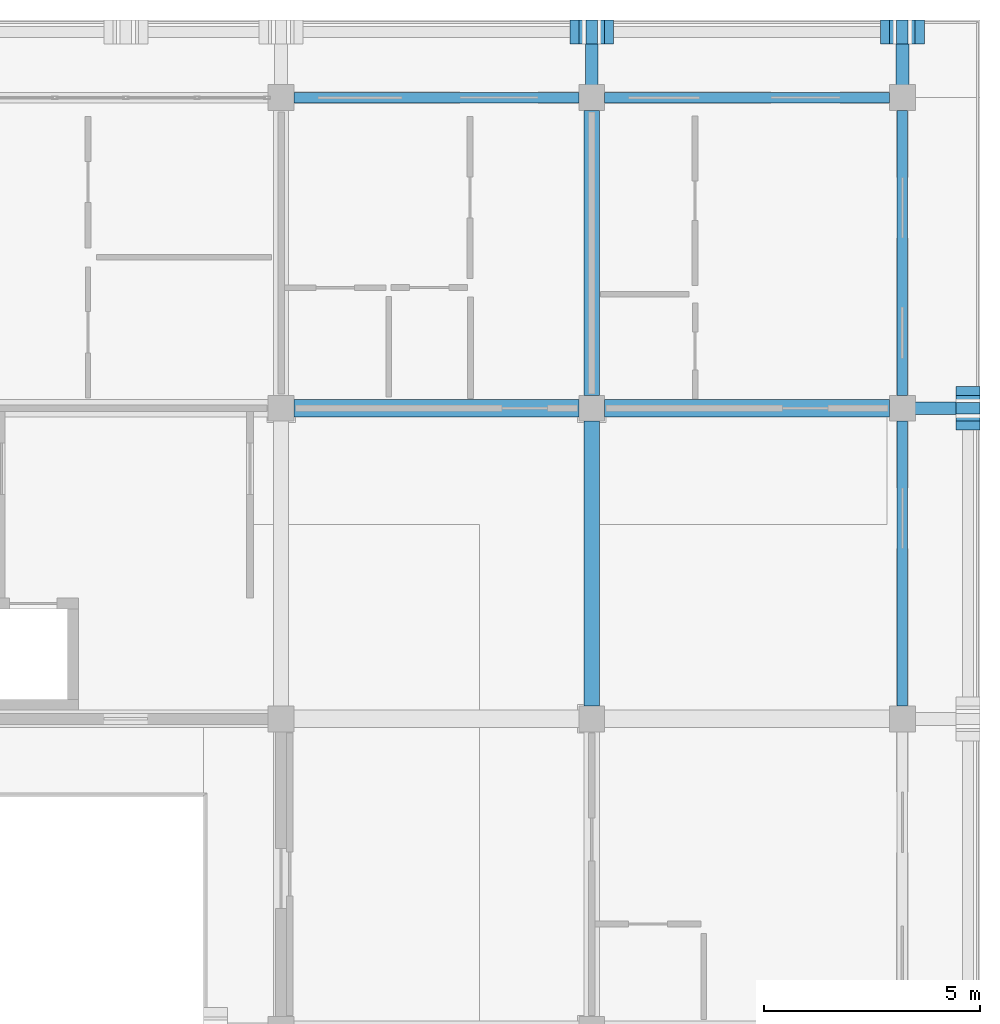
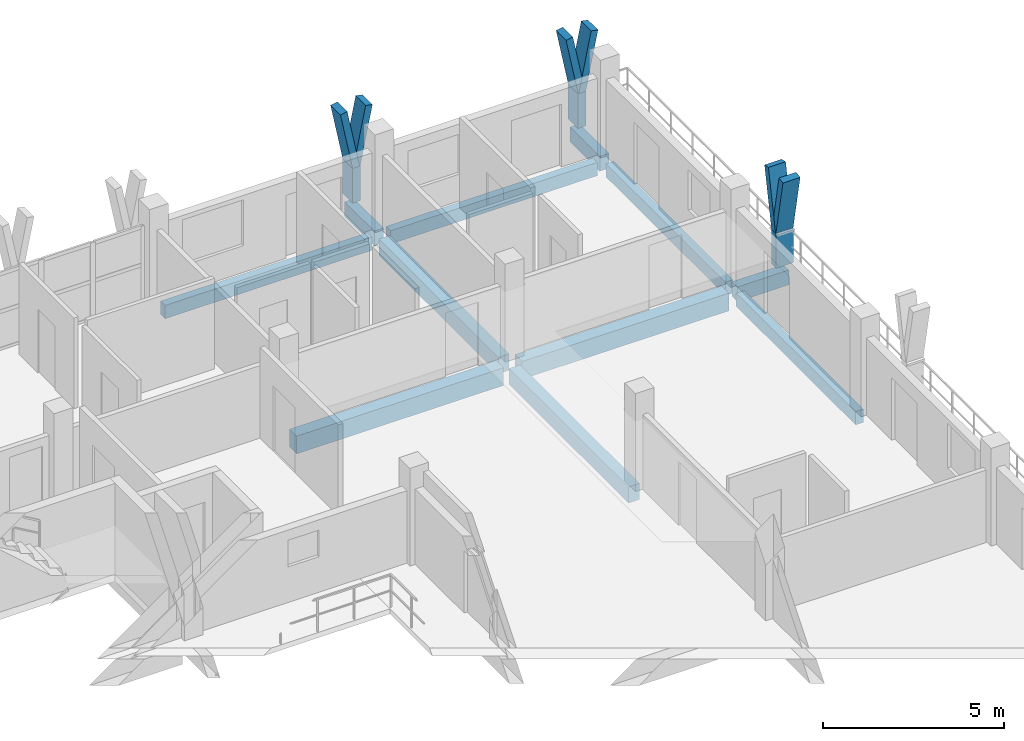
# One storey, part 32 of 75: 11 beams, 9 members.
"""IFC4 building model written with IfcOpenShell, lengths in metres."""

from ifc_helpers import new_model, si_unit, direction, frame, origin, origin_2d, place, context, subcontext, project, spatial, rectangle, extrude, material, material_profile, profile_set, type_object, element, save


model = new_model("IFC4")

# Units and contexts
model_context = context("Model", 3, precision=1e-05, world=origin(), true_north=direction((0.0, 1.0)))
body_context = subcontext(model_context, "Body", "Model", "MODEL_VIEW")
ifc_project = project(units=[si_unit("LENGTHUNIT", "METRE"), si_unit("AREAUNIT", "SQUARE_METRE"), si_unit("VOLUMEUNIT", "CUBIC_METRE"), si_unit("PLANEANGLEUNIT", "RADIAN"), si_unit("MASSUNIT", "GRAM", prefix="KILO")], contexts=[model_context])

# Site, building, storey
site_placement = place(None, origin())
site = spatial("IfcSite", under=ifc_project, at=site_placement, CompositionType="ELEMENT")
building_placement = place(site_placement, origin())
building = spatial("IfcBuilding", under=site, at=building_placement, Name="Suanplinth Sawtooth Commons", CompositionType="ELEMENT")
storey_placement = place(building_placement, frame((0.0, 0.0, 18.60009765625)))
storey = spatial("IfcBuildingStorey", under=building, at=storey_placement, Name="L05", CompositionType="ELEMENT", Elevation=18.60009765625)

# Beams
ifc_material_1 = material(Name="Precast concrete C40/50", Category="concrete")
ifc_material_profile_1 = material_profile(ifc_material_1, rectangle(XDim=0.39990234375, YDim=0.60009765625, at=origin_2d()), Name="PC-GDR 400x600")
ifc_profile_set_1 = profile_set([ifc_material_profile_1], Name="Precast concrete C40/50")
beam_type_1 = type_object("IfcBeamType", Name="B-05", PredefinedType="USERDEFINED", material=ifc_profile_set_1)
for number, where, z_axis, x_axis, name in (
    (1, (173.10009765625, 115.199951171875, -0.550048828125), (1.0, 0.0, 0.0), (0.0, 1.0, 0.0), "BMX-L05-B-24-16"),
    (2, (180.300048828125, 115.199951171875, -0.550048828125), (1.0, 0.0, 0.0), (0.0, 1.0, 0.0), "BMX-L05-B-25-16"),
):
    element("IfcBeam", number, at=place(storey_placement, frame(where, z_axis=z_axis, x_axis=x_axis)), inside=storey, type_object=beam_type_1, Name=name, ObjectType="GIRDER", PredefinedType="USERDEFINED", context=body_context, shape_type="SweptSolid", body=[
        extrude(rectangle(XDim=0.39990234375, YDim=0.60009765625, at=origin_2d()), origin(), (0.0, 0.0, 1.0), 6.599853515625),
    ])
ifc_material_profile_2 = material_profile(ifc_material_1, rectangle(XDim=0.35009765625, YDim=0.550048828125, at=origin_2d()), Name="PC-BM 350x550")
ifc_profile_set_2 = profile_set([ifc_material_profile_2], Name="Precast concrete C40/50")
beam_type_2 = type_object("IfcBeamType", Name="B-06", PredefinedType="BEAM", material=ifc_profile_set_2)
beam_1_placement = place(storey_placement, frame((180.0, 108.300048828125, -0.525146484375), z_axis=(0.0, 1.0, 0.0), x_axis=(-1.0, 0.0, 0.0)))
element("IfcBeam", 3, at=beam_1_placement, inside=storey, type_object=beam_type_2, Name="BMY-L05-B-25-15", PredefinedType="BEAM", context=body_context, shape_type="SweptSolid", body=[
    extrude(rectangle(XDim=0.35009765625, YDim=0.550048828125, at=origin_2d()), origin(), (0.0, 0.0, 1.0), 6.599853515625),
])
beam_2_placement = place(storey_placement, frame((180.0, 115.5, -0.525146484375), z_axis=(0.0, 1.0, 0.0), x_axis=(-1.0, 0.0, 0.0)))
element("IfcBeam", 4, at=beam_2_placement, inside=storey, type_object=beam_type_2, Name="BMY-L05-B-25-16", PredefinedType="BEAM", context=body_context, shape_type="SweptSolid", body=[
    extrude(rectangle(XDim=0.35009765625, YDim=0.550048828125, at=origin_2d()), origin(), (0.0, 0.0, 1.0), 6.60009765625),
])
ifc_material_profile_3 = material_profile(ifc_material_1, rectangle(XDim=0.300048828125, YDim=0.5, at=origin_2d()), Name="PC-BM 300x500")
ifc_profile_set_3 = profile_set([ifc_material_profile_3], Name="Precast concrete C40/50")
beam_type_3 = type_object("IfcBeamType", Name="B-07", PredefinedType="BEAM", material=ifc_profile_set_3)
for number, where, z_axis, x_axis, name in (
    (5, (180.0, 122.39990234375, -0.43017578125), (0.0, 1.0, 0.0), (-1.0, 0.0, 0.0), "Balcony Outrigger L05-B-N-25"),
    (6, (187.199951171875, 122.39990234375, -0.43017578125), (0.0, 1.0, 0.0), (-1.0, 0.0, 0.0), "Balcony Outrigger L05-B-N-26"),
    (7, (187.199951171875, 115.199951171875, -0.43017578125), (1.0, 0.0, 0.0), (0.0, 1.0, 0.0), "Balcony Outrigger L05-B-E-16"),
):
    element("IfcBeam", number, at=place(storey_placement, frame(where, z_axis=z_axis, x_axis=x_axis)), inside=storey, type_object=beam_type_3, Name=name, PredefinedType="BEAM", context=body_context, shape_type="SweptSolid", body=[
        extrude(rectangle(XDim=0.300048828125, YDim=0.5, at=origin_2d()), origin(), (0.0, 0.0, 1.0), 1.64013671875),
    ])
ifc_material_profile_4 = material_profile(ifc_material_1, rectangle(XDim=0.25, YDim=0.449951171875, at=origin_2d()), Name="PC-SP 250x450")
ifc_profile_set_4 = profile_set([ifc_material_profile_4], Name="Precast concrete C40/50")
beam_type_4 = type_object("IfcBeamType", Name="B-09", PredefinedType="SPANDREL", material=ifc_profile_set_4)
for number, where, z_axis, x_axis, name in (
    (8, (173.10009765625, 122.39990234375, -0.47509765625), (1.0, 0.0, 0.0), (0.0, 1.0, 0.0), "BMX-L05-B-24-17"),
    (9, (180.300048828125, 122.39990234375, -0.47509765625), (1.0, 0.0, 0.0), (0.0, 1.0, 0.0), "BMX-L05-B-25-17"),
    (10, (187.199951171875, 108.300048828125, -0.47509765625), (0.0, 1.0, 0.0), (-1.0, 0.0, 0.0), "BMY-L05-B-26-15"),
):
    element("IfcBeam", number, at=place(storey_placement, frame(where, z_axis=z_axis, x_axis=x_axis)), inside=storey, type_object=beam_type_4, Name=name, PredefinedType="SPANDREL", context=body_context, shape_type="SweptSolid", body=[
        extrude(rectangle(XDim=0.25, YDim=0.449951171875, at=origin_2d()), origin(), (0.0, 0.0, 1.0), 6.599853515625),
    ])
beam_3_placement = place(storey_placement, frame((187.199951171875, 115.5, -0.47509765625), z_axis=(0.0, 1.0, 0.0), x_axis=(-1.0, 0.0, 0.0)))
element("IfcBeam", 11, at=beam_3_placement, inside=storey, type_object=beam_type_4, Name="BMY-L05-B-26-16", PredefinedType="SPANDREL", context=body_context, shape_type="SweptSolid", body=[
    extrude(rectangle(XDim=0.25, YDim=0.449951171875, at=origin_2d()), origin(), (0.0, 0.0, 1.0), 6.60009765625),
])

# Members
ifc_material_2 = material(Name="Pigmented precast concrete C40/50", Category="concrete")
ifc_material_profile_5 = material_profile(ifc_material_2, rectangle(XDim=0.260009765625, YDim=0.550048828125, at=origin_2d()), Name="PC-FIN 260x550")
ifc_profile_set_5 = profile_set([ifc_material_profile_5], Name="Pigmented precast concrete C40/50")
member_type_1 = type_object("IfcMemberType", Name="M-09", PredefinedType="USERDEFINED", material=ifc_profile_set_5)
for number, where, z_axis, x_axis, name in (
    (12, (180.0, 123.919921875, 0.0), (0.0, 0.0, 1.0), (1.0, 0.0, 0.0), "Y-Blade Stem L05-B-N-07"),
    (13, (187.199951171875, 123.919921875, 0.0), (0.0, 0.0, 1.0), (1.0, 0.0, 0.0), "Y-Blade Stem L05-B-N-08"),
    (14, (188.719970703125, 115.199951171875, 0.0), (0.0, 0.0, 1.0), (0.0, 1.0, 0.0), "Y-Blade Stem L05-B-E-12"),
):
    element("IfcMember", number, at=place(storey_placement, frame(where, z_axis=z_axis, x_axis=x_axis)), inside=storey, type_object=member_type_1, Name=name, ObjectType="SHADING FIN", PredefinedType="USERDEFINED", context=body_context, shape_type="SweptSolid", body=[
        extrude(rectangle(XDim=0.260009765625, YDim=0.550048828125, at=origin_2d()), origin(), (0.0, 0.0, 1.0), 1.169921875),
    ])
ifc_material_profile_6 = material_profile(ifc_material_2, rectangle(XDim=0.219970703125, YDim=0.550048828125, at=origin_2d()), Name="PC-FIN 220x550")
ifc_profile_set_6 = profile_set([ifc_material_profile_6], Name="Pigmented precast concrete C40/50")
member_type_2 = type_object("IfcMemberType", Name="M-10", PredefinedType="USERDEFINED", material=ifc_profile_set_6)
for number, where, z_axis, x_axis, name in (
    (15, (180.0, 123.919921875, 1.1298828125), (-0.196530428008, 0.0, 0.98049772609), (0.98049772609, 0.0, 0.196530428008), "Y-Blade Arm L L05-B-N-07"),
    (16, (180.0, 123.919921875, 1.1298828125), (0.196530428008, 0.0, 0.98049772609), (-0.98049772609, 0.0, 0.196530428008), "Y-Blade Arm R L05-B-N-07"),
    (17, (187.199951171875, 123.919921875, 1.1298828125), (-0.196415357203, 0.0, 0.980520783795), (0.980520783795, 0.0, 0.196415357203), "Y-Blade Arm L L05-B-N-08"),
    (18, (187.199951171875, 123.919921875, 1.1298828125), (0.196530428008, 0.0, 0.98049772609), (-0.98049772609, 0.0, 0.196530428008), "Y-Blade Arm R L05-B-N-08"),
    (19, (188.719970703125, 115.199951171875, 1.1298828125), (0.0, -0.196415357203, 0.980520783795), (0.0, 0.980520783795, 0.196415357203), "Y-Blade Arm L L05-B-E-12"),
    (20, (188.719970703125, 115.199951171875, 1.1298828125), (0.0, 0.196530428008, 0.98049772609), (0.0, -0.98049772609, 0.196530428008), "Y-Blade Arm R L05-B-E-12"),
):
    element("IfcMember", number, at=place(storey_placement, frame(where, z_axis=z_axis, x_axis=x_axis)), inside=storey, type_object=member_type_2, Name=name, ObjectType="SHADING FIN", PredefinedType="USERDEFINED", context=body_context, shape_type="SweptSolid", body=[
        extrude(rectangle(XDim=0.219970703125, YDim=0.550048828125, at=origin_2d()), origin(), (0.0, 0.0, 1.0), 2.039794921875),
    ])

save(model, "model.ifc")
